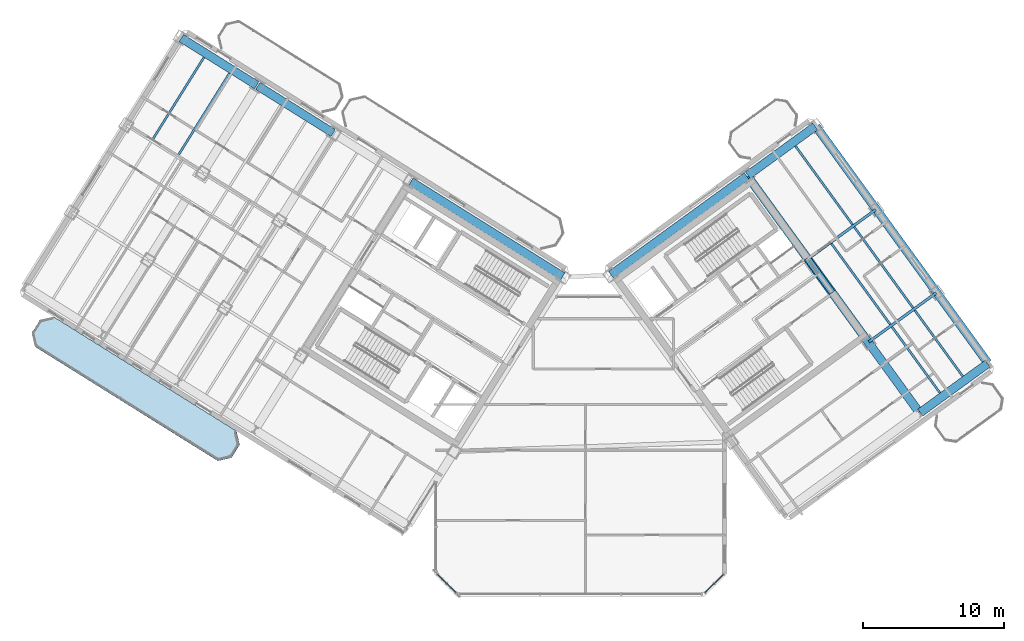
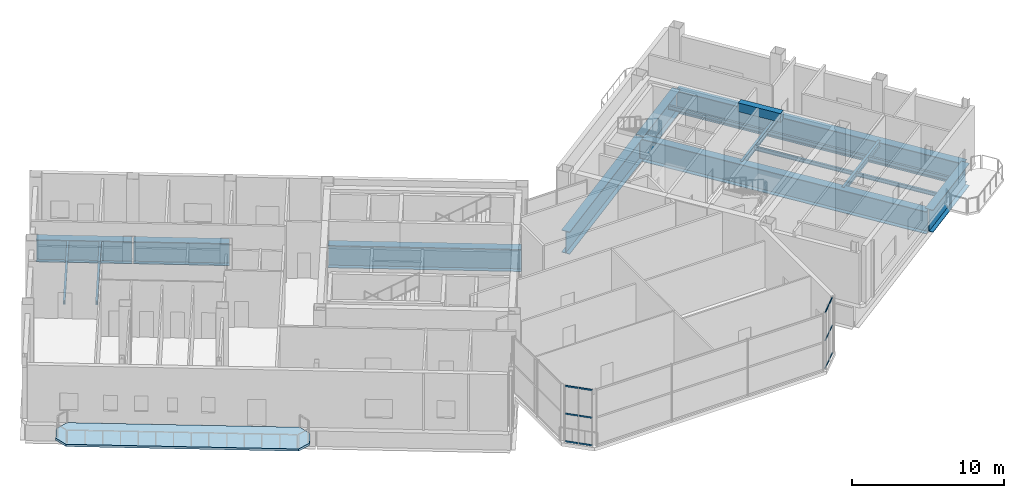
# One storey, part 13 of 26: 18 beams, 12 members, 1 slab, 2 elements without a shape of their own.
"""IFC4 building model written with IfcOpenShell, lengths in metres."""

from ifc_helpers import new_model, si_unit, direction, frame, origin, origin_2d, place, context, subcontext, project, spatial, polyline, rectangle, hollow_rectangle, i_section, outline, extrude, source, transform, mapped, material, layer, layer_set, material_profile, profile_set, type_object, element, aggregate, save


model = new_model("IFC4")

# Units and contexts
model_context = context("Model", 3, precision=1e-05, world=origin(), true_north=direction((0.0, 1.0)))
body_context = subcontext(model_context, "Body", "Model", "MODEL_VIEW")
ifc_project = project(units=[si_unit("LENGTHUNIT", "METRE"), si_unit("AREAUNIT", "SQUARE_METRE"), si_unit("VOLUMEUNIT", "CUBIC_METRE"), si_unit("PLANEANGLEUNIT", "RADIAN"), si_unit("MASSUNIT", "GRAM", prefix="KILO")], contexts=[model_context])

# Site, building, storey
site_placement = place(None, origin())
site = spatial("IfcSite", under=ifc_project, at=site_placement, CompositionType="ELEMENT")
building_placement = place(site_placement, origin())
building = spatial("IfcBuilding", under=site, at=building_placement, Name="Tlacorven Tower", CompositionType="ELEMENT")
storey_placement = place(building_placement, frame((0.0, 0.0, 233.699951171875)))
storey = spatial("IfcBuildingStorey", under=building, at=storey_placement, Name="L59", CompositionType="ELEMENT", Elevation=233.699951171875)

# Beams
ifc_material_1 = material(Name="Concrete C60/75", Category="concrete")
ifc_material_profile_1 = material_profile(ifc_material_1, rectangle(XDim=0.449951171875, YDim=0.699951171875, at=origin_2d()), Name="RC 450X700")
ifc_profile_set_1 = profile_set([ifc_material_profile_1], Name="Concrete C60/75")
beam_type_1 = type_object("IfcBeamType", Name="BM-LNT-700", PredefinedType="LINTEL", material=ifc_profile_set_1)
shared_shape_1 = source(origin(), body_context, "Body", "SweptSolid", [
    extrude(rectangle(XDim=0.449951171875, YDim=0.699951171875, at=origin_2d()), origin(), (0.0, 0.0, 1.0), 3.050048828125),
])
beam_1_placement = place(storey_placement, frame((59.856689453125, 23.345947265625, 4.199951171875), z_axis=(-0.587776590479, 0.80902328748, 0.0), x_axis=(-0.80902328748, -0.587776590479, 0.0)))
element("IfcBeam", 1, at=beam_1_placement, inside=storey, type_object=beam_type_1, Name="L59 E core coupling lintel beam E2", PredefinedType="LINTEL", context=body_context, shape_type="MappedRepresentation", body=[
    mapped(shared_shape_1, transform((0.0, 0.0, 0.0), scale=1.0)),
])
ifc_material_2 = material(Name="Steel S460M", Category="steel")
ifc_material_profile_2 = material_profile(ifc_material_2, i_section(OverallWidth=0.60009765625, OverallDepth=1.800048828125, WebThickness=0.028076171875, FlangeThickness=0.0400390625, at=origin_2d()), Name="PG 1800X600X28X40")
ifc_profile_set_2 = profile_set([ifc_material_profile_2], Name="Steel S460M")
beam_type_2 = type_object("IfcBeamType", Name="BM-TRG-1800", PredefinedType="USERDEFINED", material=ifc_profile_set_2)
shared_shape_2 = source(origin(), body_context, "Body", "SweptSolid", [
    extrude(i_section(OverallWidth=0.60009765625, OverallDepth=1.800048828125, WebThickness=0.028076171875, FlangeThickness=0.0400390625, at=origin_2d()), origin(), (0.0, 0.0, 1.0), 20.72021484375),
])
beam_2_placement = place(storey_placement, frame((66.034423828125, 14.84326171875, -1.179931640625), z_axis=(-0.587784199495, 0.809017759276, 0.0), x_axis=(-0.809017759276, -0.587784199495, 0.0)))
element("IfcBeam", 2, at=beam_2_placement, inside=storey, type_object=beam_type_2, Name="L59 beam BM-L59-ET3-1", ObjectType="TRANSFER GIRDER", PredefinedType="USERDEFINED", context=body_context, shape_type="MappedRepresentation", body=[
    mapped(shared_shape_2, transform((0.0, 0.0, 0.0), scale=1.0)),
])
shared_shape_3 = source(origin(), body_context, "Body", "SweptSolid", [
    extrude(i_section(OverallWidth=0.60009765625, OverallDepth=1.800048828125, WebThickness=0.028076171875, FlangeThickness=0.0400390625, at=origin_2d()), origin(), (0.0, 0.0, 1.0), 20.719970703125),
])
beam_3_placement = place(storey_placement, frame((70.888427734375, 18.3701171875, -1.179931640625), z_axis=(-0.587789802576, 0.809013688381, 0.0), x_axis=(-0.809013688381, -0.587789802576, 0.0)))
element("IfcBeam", 3, at=beam_3_placement, inside=storey, type_object=beam_type_2, Name="L59 beam BM-L59-ET4-1", ObjectType="TRANSFER GIRDER", PredefinedType="USERDEFINED", context=body_context, shape_type="MappedRepresentation", body=[
    mapped(shared_shape_3, transform((0.0, 0.0, 0.0), scale=1.0)),
])
shared_shape_4 = source(origin(), body_context, "Body", "SweptSolid", [
    extrude(i_section(OverallWidth=0.60009765625, OverallDepth=1.800048828125, WebThickness=0.028076171875, FlangeThickness=0.0400390625, at=origin_2d()), origin(), (0.0, 0.0, 1.0), 12.699951171875),
])
beam_4_placement = place(storey_placement, frame((40.740478515625, 24.494873046875, -1.179931640625), z_axis=(-0.848043660692, 0.529926362394, 0.0), x_axis=(-0.529926362394, -0.848043660692, 0.0)))
element("IfcBeam", 4, at=beam_4_placement, inside=storey, type_object=beam_type_2, Name="L59 beam BM-L59-WL1-1", ObjectType="TRANSFER GIRDER", PredefinedType="USERDEFINED", context=body_context, shape_type="MappedRepresentation", body=[
    mapped(shared_shape_4, transform((0.0, 0.0, 0.0), scale=1.0)),
])
shared_shape_5 = source(origin(), body_context, "Body", "SweptSolid", [
    extrude(i_section(OverallWidth=0.60009765625, OverallDepth=1.800048828125, WebThickness=0.028076171875, FlangeThickness=0.0400390625, at=origin_2d()), origin(), (0.0, 0.0, 1.0), 6.300048828125),
])
for number, where, z_axis, x_axis, name in (
    (5, (24.4580078125, 34.66943359375, -1.179931640625), (-0.848059257352, 0.529901402168, 0.0), (-0.529901402168, -0.848059257352, 0.0), "L59 beam BM-L59-WL1-4"),
    (6, (19.030517578125, 38.060791015625, -1.179931640625), (-0.848041842361, 0.529929272267, 0.0), (-0.529929272267, -0.848041842361, 0.0), "L59 beam BM-L59-WL1-5"),
):
    element("IfcBeam", number, at=place(storey_placement, frame(where, z_axis=z_axis, x_axis=x_axis)), inside=storey, type_object=beam_type_2, Name=name, ObjectType="TRANSFER GIRDER", PredefinedType="USERDEFINED", context=body_context, shape_type="MappedRepresentation", body=[
        mapped(shared_shape_5, transform((0.0, 0.0, 0.0), scale=1.0)),
    ])
shared_shape_6 = source(origin(), body_context, "Body", "SweptSolid", [
    extrude(i_section(OverallWidth=0.60009765625, OverallDepth=1.800048828125, WebThickness=0.028076171875, FlangeThickness=0.0400390625, at=origin_2d()), origin(), (0.0, 0.0, 1.0), 11.89990234375),
])
beam_5_placement = place(storey_placement, frame((44.164306640625, 24.614501953125, -1.179931640625), z_axis=(0.809014570063, 0.587788589057, 0.0), x_axis=(-0.587788589057, 0.809014570063, 0.0)))
element("IfcBeam", 7, at=beam_5_placement, inside=storey, type_object=beam_type_2, Name="L59 beam BM-L59-EL4-1", ObjectType="TRANSFER GIRDER", PredefinedType="USERDEFINED", context=body_context, shape_type="MappedRepresentation", body=[
    mapped(shared_shape_6, transform((0.0, 0.0, 0.0), scale=1.0)),
])
shared_shape_7 = source(origin(), body_context, "Body", "SweptSolid", [
    extrude(i_section(OverallWidth=0.60009765625, OverallDepth=1.800048828125, WebThickness=0.028076171875, FlangeThickness=0.0400390625, at=origin_2d()), origin(), (0.0, 0.0, 1.0), 5.900146484375),
])
beam_6_placement = place(storey_placement, frame((66.098388671875, 14.84033203125, -1.179931640625), z_axis=(0.80900977213, 0.587795192732, 0.0), x_axis=(-0.587795192732, 0.80900977213, 0.0)))
element("IfcBeam", 8, at=beam_6_placement, inside=storey, type_object=beam_type_2, Name="L59 beam BM-L59-EL1-3", ObjectType="TRANSFER GIRDER", PredefinedType="USERDEFINED", context=body_context, shape_type="MappedRepresentation", body=[
    mapped(shared_shape_7, transform((0.0, 0.0, 0.0), scale=1.0)),
])
shared_shape_8 = source(origin(), body_context, "Body", "SweptSolid", [
    extrude(i_section(OverallWidth=0.60009765625, OverallDepth=1.800048828125, WebThickness=0.028076171875, FlangeThickness=0.0400390625, at=origin_2d()), origin(), (0.0, 0.0, 1.0), 5.89990234375),
])
beam_7_placement = place(storey_placement, frame((53.872314453125, 31.66796875, -1.179931640625), z_axis=(0.809029449413, 0.587768109021, 0.0), x_axis=(-0.587768109021, 0.809029449413, 0.0)))
element("IfcBeam", 9, at=beam_7_placement, inside=storey, type_object=beam_type_2, Name="L59 beam BM-L59-EL4-3", ObjectType="TRANSFER GIRDER", PredefinedType="USERDEFINED", context=body_context, shape_type="MappedRepresentation", body=[
    mapped(shared_shape_8, transform((0.0, 0.0, 0.0), scale=1.0)),
])
ifc_material_3 = material(Name="Steel S355J2", Category="steel")
ifc_material_profile_3 = material_profile(ifc_material_3, i_section(OverallWidth=0.14990234375, OverallDepth=0.300048828125, WebThickness=0.007080078125, FlangeThickness=0.0107421875, at=origin_2d()), Name="IPE 300")
ifc_profile_set_3 = profile_set([ifc_material_profile_3], Name="Steel S355J2")
beam_type_3 = type_object("IfcBeamType", Name="BM-JST-300", PredefinedType="JOIST", material=ifc_profile_set_3)
shared_shape_9 = source(origin(), body_context, "Body", "SweptSolid", [
    extrude(i_section(OverallWidth=0.14990234375, OverallDepth=0.300048828125, WebThickness=0.007080078125, FlangeThickness=0.0107421875, at=origin_2d()), origin(), (0.0, 0.0, 1.0), 6.89501953125),
])
for number, where, z_axis, x_axis, name in (
    (10, (17.10205078125, 38.90625, -0.429931640625), (-0.529887538042, -0.848067920056, 0.0), (0.848067920056, -0.529887538042, 0.0), "L59 beam BM-L59-WJ5-1-1"),
    (11, (15.29296875, 40.03662109375, -0.429931640625), (-0.529928916192, -0.848042064867, 0.0), (0.848042064867, -0.529928916192, 0.0), "L59 beam BM-L59-WJ5-1-2"),
    (12, (61.300048828125, 28.164794921875, -0.429931640625), (-0.587784239999, 0.809017729849, 0.0), (-0.809017729849, -0.587784239999, 0.0), "L59 beam BM-L59-EJ3-3-2"),
):
    element("IfcBeam", number, at=place(storey_placement, frame(where, z_axis=z_axis, x_axis=x_axis)), inside=storey, type_object=beam_type_3, Name=name, PredefinedType="JOIST", context=body_context, shape_type="MappedRepresentation", body=[
        mapped(shared_shape_9, transform((0.0, 0.0, 0.0), scale=1.0)),
    ])
shared_shape_10 = source(origin(), body_context, "Body", "SweptSolid", [
    extrude(i_section(OverallWidth=0.14990234375, OverallDepth=0.300048828125, WebThickness=0.007080078125, FlangeThickness=0.0107421875, at=origin_2d()), origin(), (0.0, 0.0, 1.0), 7.10009765625),
])
for number, where, z_axis, x_axis, name in (
    (13, (63.972900390625, 21.083251953125, -0.429931640625), (-0.587783168305, 0.809018508476, 0.0), (-0.809018508476, -0.587783168305, 0.0), "L59 beam BM-L59-EJ3-2-1"),
    (14, (65.5908203125, 22.2587890625, -0.429931640625), (-0.587760662035, 0.809034859672, 0.0), (-0.809034859672, -0.587760662035, 0.0), "L59 beam BM-L59-EJ3-2-2"),
):
    element("IfcBeam", number, at=place(storey_placement, frame(where, z_axis=z_axis, x_axis=x_axis)), inside=storey, type_object=beam_type_3, Name=name, PredefinedType="JOIST", context=body_context, shape_type="MappedRepresentation", body=[
        mapped(shared_shape_10, transform((0.0, 0.0, 0.0), scale=1.0)),
    ])
shared_shape_11 = source(origin(), body_context, "Body", "SweptSolid", [
    extrude(i_section(OverallWidth=0.14990234375, OverallDepth=0.300048828125, WebThickness=0.007080078125, FlangeThickness=0.0107421875, at=origin_2d()), origin(), (0.0, 0.0, 1.0), 5.794921875),
])
for number, where, z_axis, x_axis, name in (
    (15, (67.49658203125, 16.233154296875, -0.429931640625), (-0.587790872841, 0.809012910778, 0.0), (-0.809012910778, -0.587790872841, 0.0), "L59 beam BM-L59-EJ3-1-1"),
    (16, (69.11474609375, 17.408935546875, -0.429931640625), (-0.587790872841, 0.809012910778, 0.0), (-0.809012910778, -0.587790872841, 0.0), "L59 beam BM-L59-EJ3-1-2"),
):
    element("IfcBeam", number, at=place(storey_placement, frame(where, z_axis=z_axis, x_axis=x_axis)), inside=storey, type_object=beam_type_3, Name=name, PredefinedType="JOIST", context=body_context, shape_type="MappedRepresentation", body=[
        mapped(shared_shape_11, transform((0.0, 0.0, 0.0), scale=1.0)),
    ])
ifc_material_profile_4 = material_profile(ifc_material_3, i_section(OverallWidth=0.18994140625, OverallDepth=0.449951171875, WebThickness=0.009521484375, FlangeThickness=0.0146484375, at=origin_2d()), Name="IPE 450")
ifc_profile_set_4 = profile_set([ifc_material_profile_4], Name="Steel S355J2")
beam_type_4 = type_object("IfcBeamType", Name="BM-TWR-450", PredefinedType="BEAM", material=ifc_profile_set_4)
shared_shape_12 = source(origin(), body_context, "Body", "SweptSolid", [
    extrude(i_section(OverallWidth=0.18994140625, OverallDepth=0.449951171875, WebThickness=0.009521484375, FlangeThickness=0.0146484375, at=origin_2d()), origin(), (0.0, 0.0, 1.0), 5.900146484375),
])
for number, where, z_axis, x_axis, name in (
    (17, (62.4541015625, 19.856201171875, -0.5048828125), (0.80900977213, 0.587795192732, 0.0), (-0.587795192732, 0.80900977213, 0.0), "L59 beam BM-L59-EL2-3"),
    (18, (58.163330078125, 25.761962890625, -0.5048828125), (0.80900977213, 0.587795192732, 0.0), (-0.587795192732, 0.80900977213, 0.0), "L59 beam BM-L59-EL3-3"),
):
    element("IfcBeam", number, at=place(storey_placement, frame(where, z_axis=z_axis, x_axis=x_axis)), inside=storey, type_object=beam_type_4, Name=name, PredefinedType="BEAM", context=body_context, shape_type="MappedRepresentation", body=[
        mapped(shared_shape_12, transform((0.0, 0.0, 0.0), scale=1.0)),
    ])

# Curtain wall, members
ifc_material_4 = material(Name="Dark solar low-E double glazing in aluminium frame", Category="aluminium")
curtain_wall_type = type_object("IfcCurtainWallType", Name="CW-TWR-HIGH", PredefinedType="USERDEFINED", material=ifc_material_4)
curtain_wall_1_placement = place(storey_placement, origin())
curtain_wall_1 = element("IfcCurtainWall", 19, at=curtain_wall_1_placement, inside=storey, type_object=curtain_wall_type, Name="L59 CW-TWR-HIGH Curtain Wall 266", ObjectType="UNITISED CURTAIN WALL", PredefinedType="USERDEFINED")
ifc_material_5 = material(Name="Aluminium 6063-T6 anodised", Category="aluminium")
ifc_material_profile_5 = material_profile(ifc_material_5, hollow_rectangle(XDim=0.054931640625, YDim=0.1201171875, WallThickness=0.00341796875, at=origin_2d()), Name="ALU TRANSOM 55X120")
ifc_profile_set_5 = profile_set([ifc_material_profile_5], Name="Aluminium 6063-T6 anodised")
member_type = type_object("IfcMemberType", Name="CWT-03", PredefinedType="USERDEFINED", material=ifc_profile_set_5)
shared_shape_13 = source(origin(), body_context, "Body", "SweptSolid", [
    extrude(hollow_rectangle(XDim=0.054931640625, YDim=0.1201171875, WallThickness=0.00341796875, at=origin_2d()), origin(), (0.0, 0.0, 1.0), 0.899169921875),
])
member_1_placement = place(storey_placement, frame((52.13525390625, 3.361572265625, 0.06005859375), z_axis=(-0.707106781187, -0.707106781187, 0.0), x_axis=(0.707106781187, -0.707106781187, 0.0)))
member_1 = element("IfcMember", 20, at=member_1_placement, type_object=member_type, Name="CW-L59-266 Transom 1", ObjectType="TRANSOM", PredefinedType="USERDEFINED", context=body_context, shape_type="MappedRepresentation", body=[
    mapped(shared_shape_13, transform((0.0, 0.0, 0.0), scale=1.0)),
])
member_2_placement = place(storey_placement, frame((52.13525390625, 3.361572265625, 2.275146484375), z_axis=(-0.707106781187, -0.707106781187, 0.0), x_axis=(0.707106781187, -0.707106781187, 0.0)))
member_2 = element("IfcMember", 21, at=member_2_placement, type_object=member_type, Name="CW-L59-266 Transom 2", ObjectType="TRANSOM", PredefinedType="USERDEFINED", context=body_context, shape_type="MappedRepresentation", body=[
    mapped(shared_shape_13, transform((0.0, 0.0, 0.0), scale=1.0)),
])
member_3_placement = place(storey_placement, frame((52.13525390625, 3.361572265625, 4.489990234375), z_axis=(-0.707106781187, -0.707106781187, 0.0), x_axis=(0.707106781187, -0.707106781187, 0.0)))
member_3 = element("IfcMember", 22, at=member_3_placement, type_object=member_type, Name="CW-L59-266 Transom 3", ObjectType="TRANSOM", PredefinedType="USERDEFINED", context=body_context, shape_type="MappedRepresentation", body=[
    mapped(shared_shape_13, transform((0.0, 0.0, 0.0), scale=1.0)),
])
member_4_placement = place(storey_placement, frame((51.47412109375, 2.700439453125, 0.06005859375), z_axis=(-0.707106781187, -0.707106781187, 0.0), x_axis=(0.707106781187, -0.707106781187, 0.0)))
member_4 = element("IfcMember", 23, at=member_4_placement, type_object=member_type, Name="CW-L59-266 Transom 4", ObjectType="TRANSOM", PredefinedType="USERDEFINED", context=body_context, shape_type="MappedRepresentation", body=[
    mapped(shared_shape_13, transform((0.0, 0.0, 0.0), scale=1.0)),
])
member_5_placement = place(storey_placement, frame((51.47412109375, 2.700439453125, 2.275146484375), z_axis=(-0.707106781187, -0.707106781187, 0.0), x_axis=(0.707106781187, -0.707106781187, 0.0)))
member_5 = element("IfcMember", 24, at=member_5_placement, type_object=member_type, Name="CW-L59-266 Transom 5", ObjectType="TRANSOM", PredefinedType="USERDEFINED", context=body_context, shape_type="MappedRepresentation", body=[
    mapped(shared_shape_13, transform((0.0, 0.0, 0.0), scale=1.0)),
])
member_6_placement = place(storey_placement, frame((51.47412109375, 2.700439453125, 4.489990234375), z_axis=(-0.707106781187, -0.707106781187, 0.0), x_axis=(0.707106781187, -0.707106781187, 0.0)))
member_6 = element("IfcMember", 25, at=member_6_placement, type_object=member_type, Name="CW-L59-266 Transom 6", ObjectType="TRANSOM", PredefinedType="USERDEFINED", context=body_context, shape_type="MappedRepresentation", body=[
    mapped(shared_shape_13, transform((0.0, 0.0, 0.0), scale=1.0)),
])
aggregate(curtain_wall_1, [member_1, member_2, member_3, member_4, member_5, member_6])

curtain_wall_2_placement = place(storey_placement, origin())
curtain_wall_2 = element("IfcCurtainWall", 26, at=curtain_wall_2_placement, inside=storey, type_object=curtain_wall_type, Name="L59 CW-TWR-HIGH Curtain Wall 268", ObjectType="UNITISED CURTAIN WALL", PredefinedType="USERDEFINED")
member_7_placement = place(storey_placement, frame((33.16162109375, 2.064697265625, 0.06005859375), z_axis=(-0.707106781187, 0.707106781187, 0.0), x_axis=(-0.707106781187, -0.707106781187, 0.0)))
member_7 = element("IfcMember", 27, at=member_7_placement, type_object=member_type, Name="CW-L59-268 Transom 1", ObjectType="TRANSOM", PredefinedType="USERDEFINED", context=body_context, shape_type="MappedRepresentation", body=[
    mapped(shared_shape_13, transform((0.0, 0.0, 0.0), scale=1.0)),
])
member_8_placement = place(storey_placement, frame((33.16162109375, 2.064697265625, 2.275146484375), z_axis=(-0.707106781187, 0.707106781187, 0.0), x_axis=(-0.707106781187, -0.707106781187, 0.0)))
member_8 = element("IfcMember", 28, at=member_8_placement, type_object=member_type, Name="CW-L59-268 Transom 2", ObjectType="TRANSOM", PredefinedType="USERDEFINED", context=body_context, shape_type="MappedRepresentation", body=[
    mapped(shared_shape_13, transform((0.0, 0.0, 0.0), scale=1.0)),
])
member_9_placement = place(storey_placement, frame((33.16162109375, 2.064697265625, 4.489990234375), z_axis=(-0.707106781187, 0.707106781187, 0.0), x_axis=(-0.707106781187, -0.707106781187, 0.0)))
member_9 = element("IfcMember", 29, at=member_9_placement, type_object=member_type, Name="CW-L59-268 Transom 3", ObjectType="TRANSOM", PredefinedType="USERDEFINED", context=body_context, shape_type="MappedRepresentation", body=[
    mapped(shared_shape_13, transform((0.0, 0.0, 0.0), scale=1.0)),
])
member_10_placement = place(storey_placement, frame((32.50048828125, 2.725830078125, 0.06005859375), z_axis=(-0.707106781187, 0.707106781187, 0.0), x_axis=(-0.707106781187, -0.707106781187, 0.0)))
member_10 = element("IfcMember", 30, at=member_10_placement, type_object=member_type, Name="CW-L59-268 Transom 4", ObjectType="TRANSOM", PredefinedType="USERDEFINED", context=body_context, shape_type="MappedRepresentation", body=[
    mapped(shared_shape_13, transform((0.0, 0.0, 0.0), scale=1.0)),
])
member_11_placement = place(storey_placement, frame((32.50048828125, 2.725830078125, 2.275146484375), z_axis=(-0.707106781187, 0.707106781187, 0.0), x_axis=(-0.707106781187, -0.707106781187, 0.0)))
member_11 = element("IfcMember", 31, at=member_11_placement, type_object=member_type, Name="CW-L59-268 Transom 5", ObjectType="TRANSOM", PredefinedType="USERDEFINED", context=body_context, shape_type="MappedRepresentation", body=[
    mapped(shared_shape_13, transform((0.0, 0.0, 0.0), scale=1.0)),
])
member_12_placement = place(storey_placement, frame((32.50048828125, 2.725830078125, 4.489990234375), z_axis=(-0.707106781187, 0.707106781187, 0.0), x_axis=(-0.707106781187, -0.707106781187, 0.0)))
member_12 = element("IfcMember", 32, at=member_12_placement, type_object=member_type, Name="CW-L59-268 Transom 6", ObjectType="TRANSOM", PredefinedType="USERDEFINED", context=body_context, shape_type="MappedRepresentation", body=[
    mapped(shared_shape_13, transform((0.0, 0.0, 0.0), scale=1.0)),
])
aggregate(curtain_wall_2, [member_7, member_8, member_9, member_10, member_11, member_12])

# Slab
ifc_material_6 = material(Name="Precast concrete C45/55", Category="concrete")
ifc_layer = layer(ifc_material_6, 0.179931640625)
ifc_layer_set = layer_set([ifc_layer], Name="Precast concrete C45/55")
slab_type = type_object("IfcSlabType", Name="SL-BAL-180", PredefinedType="USERDEFINED", material=ifc_layer_set)
slab_placement = place(storey_placement, frame((0.0, 0.0, -0.179931640625)))
element("IfcSlab", 33, at=slab_placement, inside=storey, type_object=slab_type, Name="L59 West Wing Balcony Ribbon OUT", ObjectType="BALCONY SLAB", PredefinedType="USERDEFINED", context=body_context, shape_type="SweptSolid", body=[
    extrude(outline(polyline([(17.601318359375, 13.52490234375), (4.626220703125, 21.632568359375), (3.66162109375, 21.409912109375), (3.081298828125, 20.4814453125), (3.303955078125, 19.516845703125), (16.279052734375, 11.408935546875), (17.24365234375, 11.6318359375), (17.823974609375, 12.560302734375), (17.601318359375, 13.52490234375)])), origin(), (0.0, 0.0, 1.0), 0.179931640625),
])

save(model, "model.ifc")
